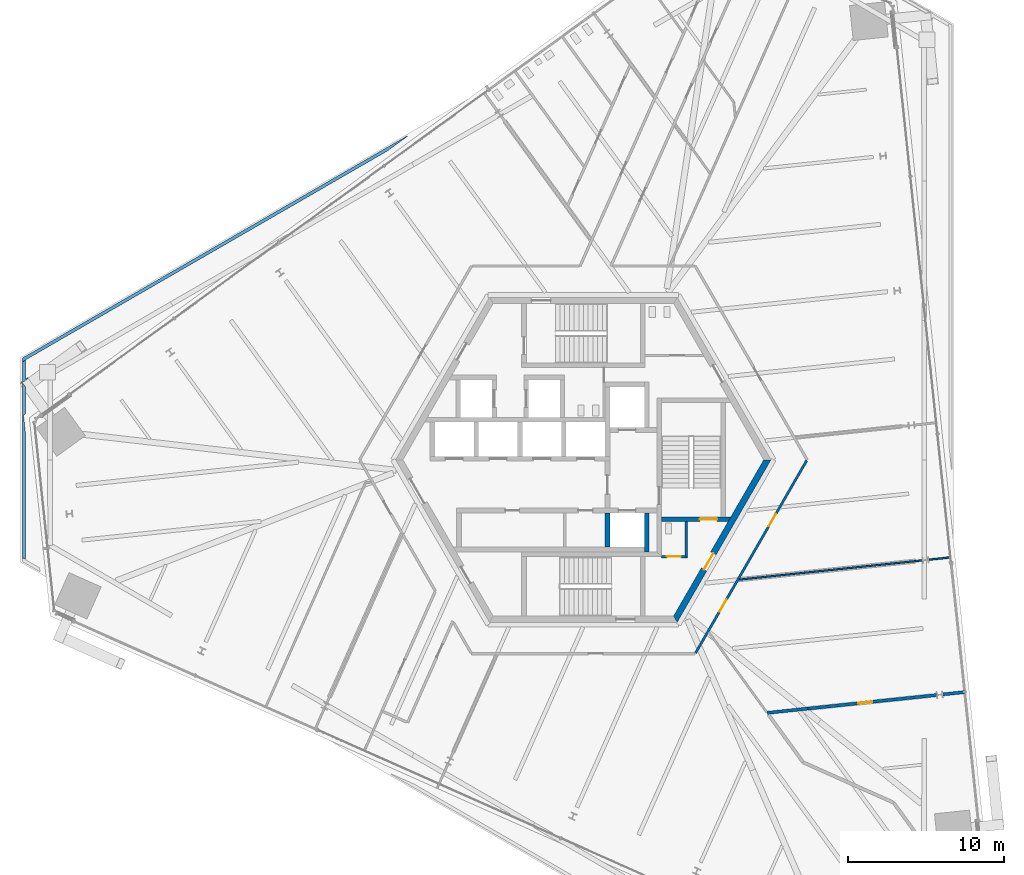
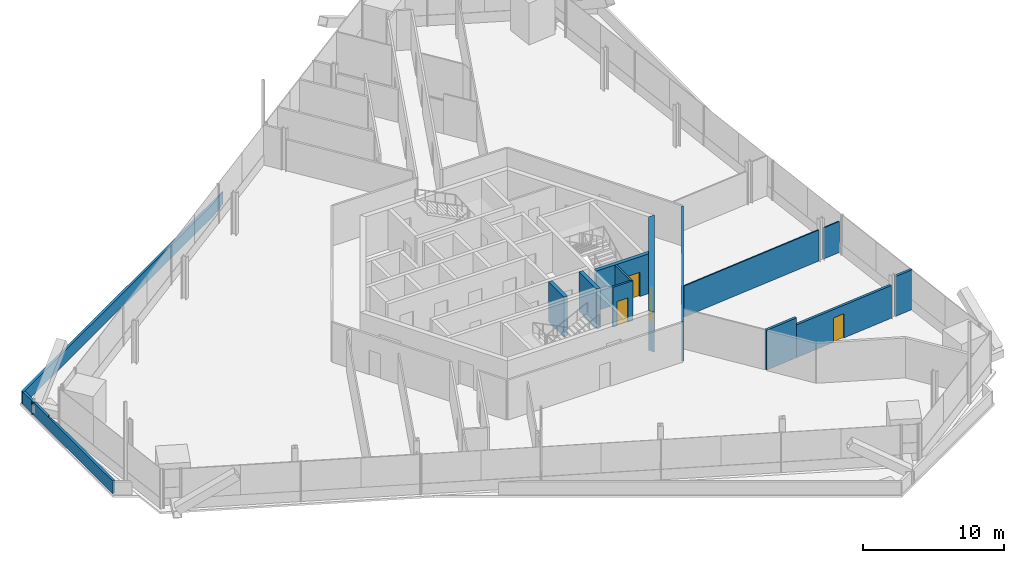
# One storey, part 16 of 24: 15 walls, 6 doors, 6 openings.
"""IFC4 building model written with IfcOpenShell, lengths in metres."""

from ifc_helpers import new_model, si_unit, direction, frame, frame_2d, origin, place, context, subcontext, project, spatial, polyline, rectangle, outline, extrude, source, transform, mapped, material, layer, layer_set, type_object, element, fill, save


model = new_model("IFC4")

# Units and contexts
model_context = context("Model", 3, precision=1e-05, world=origin(), true_north=direction((0.0, 1.0)))
body_context = subcontext(model_context, "Body", "Model", "MODEL_VIEW")
ifc_project = project(units=[si_unit("LENGTHUNIT", "METRE"), si_unit("AREAUNIT", "SQUARE_METRE"), si_unit("VOLUMEUNIT", "CUBIC_METRE"), si_unit("PLANEANGLEUNIT", "RADIAN"), si_unit("MASSUNIT", "GRAM", prefix="KILO")], contexts=[model_context])

# Site, building, storey
site_placement = place(None, origin())
site = spatial("IfcSite", under=ifc_project, at=site_placement, CompositionType="ELEMENT")
building_placement = place(site_placement, origin())
building = spatial("IfcBuilding", under=site, at=building_placement, Name="Triune Harvest Tower", CompositionType="ELEMENT")
storey_placement = place(building_placement, frame((0.0, 0.0, 58.5)))
storey = spatial("IfcBuildingStorey", under=building, at=storey_placement, Name="L13", CompositionType="ELEMENT", Elevation=58.5)

# Walls
ifc_material_1 = material(Name="Concrete 40 MPa", Category="concrete")
ifc_layer_1 = layer(ifc_material_1, 0.199951171875)
ifc_layer_set_1 = layer_set([ifc_layer_1], Name="Concrete 40 MPa")
wall_type_1 = type_object("IfcWallType", Name="PA-1 parapet 200", PredefinedType="PARAPET", material=ifc_layer_set_1)
wall_1_placement = place(storey_placement, origin())
element("IfcWall", 1, at=wall_1_placement, inside=storey, type_object=wall_type_1, Name="Parapet wedge L12 2.2", PredefinedType="PARAPET", context=body_context, shape_type="SweptSolid", body=[
    extrude(outline(polyline([(-11.24755859375, 20.72412109375), (-11.2314453125, 20.69921875), (-12.55078125, 19.74072265625), (-35.680419921875, 6.386962890625), (-35.680419921875, 6.36376953125), (-35.820556640625, 6.282958984375), (-35.880615234375, 6.386962890625), (-35.880615234375, 6.502197265625), (-11.24755859375, 20.72412109375)])), origin(), (0.0, 0.0, 1.0), 1.10009765625),
])
wall_2_placement = place(storey_placement, origin())
element("IfcWall", 2, at=wall_2_placement, inside=storey, type_object=wall_type_1, Name="Parapet wedge L12 2.3", PredefinedType="PARAPET", context=body_context, shape_type="SweptSolid", body=[
    extrude(outline(polyline([(-35.501220703125, 5.204833984375), (-35.98046875, 4.856689453125), (-35.98046875, 4.9560546875), (-35.880615234375, 5.02880859375), (-35.880615234375, 6.386962890625), (-35.820556640625, 6.282958984375), (-35.680419921875, 6.36376953125), (-35.680419921875, 5.174072265625), (-35.54833984375, 5.27001953125), (-35.501220703125, 5.204833984375)])), origin(), (0.0, 0.0, 1.0), 1.10009765625),
])
wall_3_placement = place(storey_placement, origin())
element("IfcWall", 3, at=wall_3_placement, inside=storey, type_object=wall_type_1, Name="Parapet wedge L12 2.4", PredefinedType="PARAPET", context=body_context, shape_type="SweptSolid", body=[
    extrude(outline(polyline([(-35.680419921875, 2.93603515625), (-35.800537109375, 2.848876953125), (-35.680419921875, 1.706787109375), (-35.680419921875, -6.36376953125), (-35.820556640625, -6.282958984375), (-35.880615234375, -6.386962890625), (-35.880615234375, 4.9453125), (-35.680419921875, 4.669921875), (-35.680419921875, 2.93603515625)])), origin(), (0.0, 0.0, 1.0), 1.10009765625),
])
ifc_material_2 = material(Name="Gypsum board on steel studs", Category="steel")
ifc_layer_2 = layer(ifc_material_2, 0.10009765625)
ifc_layer_set_2 = layer_set([ifc_layer_2], Name="Gypsum board on steel studs")
wall_type_2 = type_object("IfcWallType", Name="Partition 100 mm", PredefinedType="PARTITIONING", material=ifc_layer_set_2)
wall_4_placement = place(storey_placement, frame((22.068115234375, -6.390380859375, 0.0), z_axis=(0.0, 0.0, 1.0), x_axis=(0.994529002172, 0.104460824419, 0.0)))
element("IfcWall", 4, at=wall_4_placement, inside=storey, type_object=wall_type_2, Name="Partition L13 026", PredefinedType="PARTITIONING", context=body_context, shape_type="SweptSolid", body=[
    extrude(rectangle(XDim=1.418701171875, YDim=0.10009765625, at=frame_2d((0.70947265625, 0.0))), origin(), (0.0, 0.0, 1.0), 2.68310546875),
])

# Wall, opening, door
ifc_material_3 = material(Name="Concrete 70 MPa", Category="concrete")
ifc_layer_3 = layer(ifc_material_3, 0.39990234375)
ifc_layer_set_3 = layer_set([ifc_layer_3], Name="Concrete 70 MPa")
wall_type_3 = type_object("IfcWallType", Name="Core wall 400", PredefinedType="SHEAR", material=ifc_layer_set_3)
shared_shape_1 = source(origin(), body_context, "Body", "SweptSolid", [
    extrude(outline(polyline([(-0.115478515625, -0.199951171875), (11.884521484375, -0.199951171875), (11.653564453125, 0.199951171875), (0.115478515625, 0.199951171875), (-0.115478515625, -0.199951171875)])), origin(), (0.0, 0.0, 1.0), 3.43994140625),
])
wall_5_placement = place(storey_placement, frame((5.884521484375, -10.1923828125, 0.0), z_axis=(0.0, 0.0, 1.0), x_axis=(0.499996592174, 0.866027371285, 0.0)))
wall_5 = element("IfcWall", 5, at=wall_5_placement, inside=storey, type_object=wall_type_3, Name="Hexagon 5 wall", PredefinedType="SHEAR", context=body_context, shape_type="MappedRepresentation", body=[
    mapped(shared_shape_1, transform((0.0, 0.0, 0.0), scale=1.0)),
])
opening_1_placement = place(wall_5_placement, frame((3.66455078125, 0.0, 0.0)))
opening_1 = element("IfcOpeningElement", 6, at=opening_1_placement, cuts=wall_5, Name="Opening CD-DP", PredefinedType="OPENING", context=body_context, shape_type="SweptSolid", body=[
    extrude(rectangle(XDim=1.199951171875, YDim=2.10009765625, at=frame_2d((0.60009765625, 1.050048828125))), frame((0.0, 0.2099609375, 0.0), z_axis=(0.0, -1.0, 0.0), x_axis=(1.0, 0.0, 0.0)), (0.0, 0.0, 1.0), 0.419921875),
])
ifc_material_4 = material(Name="Steel S235", Category="steel")
door_type_1 = type_object("IfcDoorType", Name="Stair door 1200 FD120", OperationType="SINGLE_SWING_LEFT", PredefinedType="DOOR", material=ifc_material_4)
door_1_placement = place(opening_1_placement, frame((1.199951171875, 0.0, 0.0), z_axis=(0.0, 0.0, 1.0), x_axis=(-1.0, 0.0, 0.0)))
door_1 = element("IfcDoor", 7, at=door_1_placement, inside=storey, type_object=door_type_1, Name="Door CD-DP", OperationType="SINGLE_SWING_RIGHT", OverallHeight=2.10009765625, OverallWidth=1.199951171875, PredefinedType="DOOR", context=body_context, shape_type="SweptSolid", body=[
    extrude(rectangle(XDim=1.199951171875, YDim=2.10009765625, at=frame_2d((0.60009765625, 1.050048828125))), frame((0.0, 0.02490234375, 0.0), z_axis=(0.0, -1.0, 0.0), x_axis=(1.0, 0.0, 0.0)), (0.0, 0.0, 1.0), 0.050048828125),
])
fill(opening_1, door_1)

# Walls
ifc_material_5 = material(Name="Concrete 70 MPa", Category="concrete")
ifc_layer_4 = layer(ifc_material_5, 0.300048828125)
ifc_layer_set_4 = layer_set([ifc_layer_4], Name="Concrete 70 MPa")
wall_type_4 = type_object("IfcWallType", Name="Core wall 300", PredefinedType="SHEAR", material=ifc_layer_set_4)
shared_shape_2 = source(origin(), body_context, "Body", "SweptSolid", [
    extrude(rectangle(XDim=2.5, YDim=0.300048828125, at=frame_2d((1.25, 0.0))), origin(), (0.0, 0.0, 1.0), 3.43994140625),
])
wall_6_placement = place(storey_placement, frame((4.050048828125, -5.889892578125, 0.0), z_axis=(0.0, 0.0, 1.0), x_axis=(0.0, 1.0, 0.0)))
element("IfcWall", 8, at=wall_6_placement, inside=storey, type_object=wall_type_4, Name="Ff2 east wall", PredefinedType="SHEAR", context=body_context, shape_type="MappedRepresentation", body=[
    mapped(shared_shape_2, transform((0.0, 0.0, 0.0), scale=1.0)),
])
shared_shape_3 = source(origin(), body_context, "Body", "SweptSolid", [
    extrude(rectangle(XDim=2.2001953125, YDim=0.300048828125, at=frame_2d((1.10009765625, 0.0))), origin(), (0.0, 0.0, 1.0), 3.43994140625),
])
wall_7_placement = place(storey_placement, frame((1.550048828125, -5.590087890625, 0.0), z_axis=(0.0, 0.0, 1.0), x_axis=(0.0, 1.0, 0.0)))
element("IfcWall", 9, at=wall_7_placement, inside=storey, type_object=wall_type_4, Name="Ff2 west wall", PredefinedType="SHEAR", context=body_context, shape_type="MappedRepresentation", body=[
    mapped(shared_shape_3, transform((0.0, 0.0, 0.0), scale=1.0)),
])

# Wall, opening, door
shared_shape_4 = source(origin(), body_context, "Body", "SweptSolid", [
    extrude(outline(polyline([(0.0, -0.14990234375), (0.0, 0.14990234375), (4.43310546875, 0.14990234375), (4.260009765625, -0.14990234375), (0.0, -0.14990234375)])), origin(), (0.0, 0.0, 1.0), 3.43994140625),
])
wall_8_placement = place(storey_placement, frame((5.0, -3.800048828125, 0.0), z_axis=(0.0, 0.0, 1.0), x_axis=(1.0, 0.0, 0.0)))
wall_8 = element("IfcWall", 10, at=wall_8_placement, inside=storey, type_object=wall_type_4, Name="Stair e south wall", PredefinedType="SHEAR", context=body_context, shape_type="MappedRepresentation", body=[
    mapped(shared_shape_4, transform((0.0, 0.0, 0.0), scale=1.0)),
])
opening_2_placement = place(wall_8_placement, frame((2.449951171875, 0.0, 0.0)))
opening_2 = element("IfcOpeningElement", 11, at=opening_2_placement, cuts=wall_8, Name="Opening CD-S3D", PredefinedType="OPENING", context=body_context, shape_type="SweptSolid", body=[
    extrude(rectangle(XDim=1.10009765625, YDim=2.10009765625, at=frame_2d((0.550048828125, 1.050048828125))), frame((0.0, 0.16015625, 0.0), z_axis=(0.0, -1.0, 0.0), x_axis=(1.0, 0.0, 0.0)), (0.0, 0.0, 1.0), 0.320068359375),
])
ifc_material_6 = material(Name="Steel S235", Category="steel")
door_type_2 = type_object("IfcDoorType", Name="Stair door 1100 FD120", OperationType="SINGLE_SWING_LEFT", PredefinedType="DOOR", material=ifc_material_6)
door_2_placement = place(opening_2_placement, frame((1.10009765625, 0.0, 0.0), z_axis=(0.0, 0.0, 1.0), x_axis=(-1.0, 0.0, 0.0)))
door_2 = element("IfcDoor", 12, at=door_2_placement, inside=storey, type_object=door_type_2, Name="Door CD-S3D", OperationType="SINGLE_SWING_RIGHT", OverallHeight=2.10009765625, OverallWidth=1.10009765625, PredefinedType="DOOR", context=body_context, shape_type="SweptSolid", body=[
    extrude(rectangle(XDim=1.10009765625, YDim=2.10009765625, at=frame_2d((0.550048828125, 1.050048828125))), frame((0.0, 0.02490234375, 0.0), z_axis=(0.0, -1.0, 0.0), x_axis=(1.0, 0.0, 0.0)), (0.0, 0.0, 1.0), 0.050048828125),
])
fill(opening_2, door_2)

ifc_material_7 = material(Name="Concrete masonry unit", Category="masonry")
ifc_layer_5 = layer(ifc_material_7, 0.14990234375)
ifc_layer_set_5 = layer_set([ifc_layer_5], Name="Concrete masonry unit")
wall_type_5 = type_object("IfcWallType", Name="Block partition 150 unrated", PredefinedType="PARTITIONING", material=ifc_layer_set_5)
shared_shape_5 = source(origin(), body_context, "Body", "SweptSolid", [
    extrude(outline(polyline([(0.0, -0.074951171875), (1.64990234375, -0.074951171875), (1.5, 0.074951171875), (0.0, 0.074951171875), (0.0, -0.074951171875)])), origin(), (0.0, 0.0, 1.0), 3.43994140625),
])
wall_9_placement = place(storey_placement, frame((5.0, -6.18994140625, 0.0), z_axis=(0.0, 0.0, 1.0), x_axis=(1.0, 0.0, 0.0)))
wall_9 = element("IfcWall", 13, at=wall_9_placement, inside=storey, type_object=wall_type_5, Name="Wc acc south wall", PredefinedType="PARTITIONING", context=body_context, shape_type="MappedRepresentation", body=[
    mapped(shared_shape_5, transform((0.0, 0.0, 0.0), scale=1.0)),
])
opening_3_placement = place(wall_9_placement, frame((0.33740234375, 0.0, 0.0)))
opening_3 = element("IfcOpeningElement", 14, at=opening_3_placement, cuts=wall_9, Name="Opening CD-WA", PredefinedType="OPENING", context=body_context, shape_type="SweptSolid", body=[
    extrude(rectangle(XDim=0.89990234375, YDim=2.10009765625, at=frame_2d((0.449951171875, 1.050048828125))), frame((0.0, 0.0849609375, 0.0), z_axis=(0.0, -1.0, 0.0), x_axis=(1.0, 0.0, 0.0)), (0.0, 0.0, 1.0), 0.169921875),
])
ifc_material_8 = material(Name="Timber C24", Category="wood")
door_type_3 = type_object("IfcDoorType", Name="WC door 900", OperationType="SINGLE_SWING_LEFT", PredefinedType="DOOR", material=ifc_material_8)
door_3_placement = place(opening_3_placement, origin())
door_3 = element("IfcDoor", 15, at=door_3_placement, inside=storey, type_object=door_type_3, Name="Door CD-WA", OperationType="SINGLE_SWING_LEFT", OverallHeight=2.10009765625, OverallWidth=0.89990234375, PredefinedType="DOOR", context=body_context, shape_type="SweptSolid", body=[
    extrude(rectangle(XDim=0.89990234375, YDim=2.10009765625, at=frame_2d((0.449951171875, 1.050048828125))), frame((0.0, 0.02490234375, 0.0), z_axis=(0.0, -1.0, 0.0), x_axis=(1.0, 0.0, 0.0)), (0.0, 0.0, 1.0), 0.050048828125),
])
fill(opening_3, door_3)

# Walls
shared_shape_6 = source(origin(), body_context, "Body", "SweptSolid", [
    extrude(outline(polyline([(-0.074951171875, -0.074951171875), (2.239990234375, -0.074951171875), (2.239990234375, 0.074951171875), (0.074951171875, 0.074951171875), (-0.074951171875, -0.074951171875)])), origin(), (0.0, 0.0, 1.0), 3.43994140625),
])
wall_10_placement = place(storey_placement, frame((6.574951171875, -6.18994140625, 0.0), z_axis=(0.0, 0.0, 1.0), x_axis=(0.0, 1.0, 0.0)))
element("IfcWall", 16, at=wall_10_placement, inside=storey, type_object=wall_type_5, Name="Wc acc east wall", PredefinedType="PARTITIONING", context=body_context, shape_type="MappedRepresentation", body=[
    mapped(shared_shape_6, transform((0.0, 0.0, 0.0), scale=1.0)),
])
ifc_material_9 = material(Name="Gypsum board on steel studs", Category="steel")
ifc_layer_6 = layer(ifc_material_9, 0.199951171875)
ifc_layer_set_6 = layer_set([ifc_layer_6], Name="Gypsum board on steel studs")
wall_type_6 = type_object("IfcWallType", Name="Fire Wall 200 mm", PredefinedType="PARTITIONING", material=ifc_layer_set_6)
shared_shape_7 = source(origin(), body_context, "Body", "SweptSolid", [
    extrude(rectangle(XDim=2.61181640625, YDim=0.199951171875, at=frame_2d((1.305908203125, 0.0))), origin(), (0.0, 0.0, 1.0), 3.43994140625),
])
wall_11_placement = place(storey_placement, frame((11.75830078125, -16.18408203125, 0.0), z_axis=(0.0, 0.0, 1.0), x_axis=(0.994514157036, 0.104602062386, 0.0)))
element("IfcWall", 17, at=wall_11_placement, inside=storey, type_object=wall_type_6, Name="Partition L13 023", PredefinedType="PARTITIONING", context=body_context, shape_type="MappedRepresentation", body=[
    mapped(shared_shape_7, transform((0.0, 0.0, 0.0), scale=1.0)),
])

# Wall, opening, door
shared_shape_8 = source(origin(), body_context, "Body", "SweptSolid", [
    extrude(rectangle(XDim=8.291748046875, YDim=0.199951171875, at=frame_2d((4.14599609375, 0.0))), origin(), (0.0, 0.0, 1.0), 2.827880859375),
])
wall_12_placement = place(storey_placement, frame((14.355712890625, -15.910888671875, 0.0), z_axis=(0.0, 0.0, 1.0), x_axis=(0.994522219063, 0.104525383476, 0.0)))
wall_12 = element("IfcWall", 18, at=wall_12_placement, inside=storey, type_object=wall_type_6, Name="Partition L13 023a", PredefinedType="PARTITIONING", context=body_context, shape_type="MappedRepresentation", body=[
    mapped(shared_shape_8, transform((0.0, 0.0, 0.0), scale=1.0)),
])
opening_4_placement = place(wall_12_placement, frame((3.23828125, 0.0, 0.0)))
opening_4 = element("IfcOpeningElement", 19, at=opening_4_placement, cuts=wall_12, Name="Opening L13-001", PredefinedType="OPENING", context=body_context, shape_type="SweptSolid", body=[
    extrude(rectangle(XDim=0.89990234375, YDim=2.10009765625, at=frame_2d((0.449951171875, 1.050048828125))), frame((0.0, 0.10986328125, 0.0), z_axis=(0.0, -1.0, 0.0), x_axis=(1.0, 0.0, 0.0)), (0.0, 0.0, 1.0), 0.219970703125),
])
ifc_material_10 = material(Name="Timber and steel door set", Category="steel")
door_type_4 = type_object("IfcDoorType", Name="Single leaf door FD60 left hand 900 x 2100", OperationType="SINGLE_SWING_LEFT", PredefinedType="DOOR", material=ifc_material_10)
door_4_placement = place(opening_4_placement, origin())
door_4 = element("IfcDoor", 20, at=door_4_placement, inside=storey, type_object=door_type_4, Name="Door L13-001 Commercial Trial Kitchen 13.01", OperationType="SINGLE_SWING_LEFT", OverallHeight=2.10009765625, OverallWidth=0.89990234375, PredefinedType="DOOR", context=body_context, shape_type="SweptSolid", body=[
    extrude(rectangle(XDim=0.89990234375, YDim=2.10009765625, at=frame_2d((0.449951171875, 1.050048828125))), frame((0.0, 0.02490234375, 0.0), z_axis=(0.0, -1.0, 0.0), x_axis=(1.0, 0.0, 0.0)), (0.0, 0.0, 1.0), 0.050048828125),
])
fill(opening_4, door_4)

# Walls
shared_shape_9 = source(origin(), body_context, "Body", "SweptSolid", [
    extrude(rectangle(XDim=1.41845703125, YDim=0.199951171875, at=frame_2d((0.709228515625, 0.0))), origin(), (0.0, 0.0, 1.0), 3.43994140625),
])
wall_13_placement = place(storey_placement, frame((22.9736328125, -15.00537109375, 0.0), z_axis=(0.0, 0.0, 1.0), x_axis=(0.994509224768, 0.10464894577, 0.0)))
element("IfcWall", 21, at=wall_13_placement, inside=storey, type_object=wall_type_6, Name="Partition L13 024", PredefinedType="PARTITIONING", context=body_context, shape_type="MappedRepresentation", body=[
    mapped(shared_shape_9, transform((0.0, 0.0, 0.0), scale=1.0)),
])
shared_shape_10 = source(origin(), body_context, "Body", "SweptSolid", [
    extrude(rectangle(XDim=11.78125, YDim=0.10009765625, at=frame_2d((5.890625, 0.0))), origin(), (0.0, 0.0, 1.0), 2.68310546875),
])
wall_14_placement = place(storey_placement, frame((9.979736328125, -7.660888671875, 0.0), z_axis=(0.0, 0.0, 1.0), x_axis=(0.994522245338, 0.10452513347, 0.0)))
element("IfcWall", 22, at=wall_14_placement, inside=storey, type_object=wall_type_2, Name="Partition L13 025", PredefinedType="PARTITIONING", context=body_context, shape_type="MappedRepresentation", body=[
    mapped(shared_shape_10, transform((0.0, 0.0, 0.0), scale=1.0)),
])

# Wall, openings, doors
ifc_material_11 = material(Name="Gypsum board on steel studs", Category="steel")
ifc_layer_7 = layer(ifc_material_11, 0.14990234375)
ifc_layer_set_7 = layer_set([ifc_layer_7], Name="Gypsum board on steel studs")
wall_type_7 = type_object("IfcWallType", Name="Fire Partition 150 mm", PredefinedType="PARTITIONING", material=ifc_layer_set_7)
shared_shape_11 = source(origin(), body_context, "Body", "SweptSolid", [
    extrude(rectangle(XDim=14.208740234375, YDim=0.14990234375, at=frame_2d((7.1044921875, 0.0))), origin(), (0.0, 0.0, 1.0), 3.43994140625),
])
wall_15_placement = place(storey_placement, frame((7.179931640625, -12.3486328125, 0.0), z_axis=(0.0, 0.0, 1.0), x_axis=(0.500005048139, 0.86602248922, 0.0)))
wall_15 = element("IfcWall", 23, at=wall_15_placement, inside=storey, type_object=wall_type_7, Name="Partition L13 031", PredefinedType="PARTITIONING", context=body_context, shape_type="MappedRepresentation", body=[
    mapped(shared_shape_11, transform((0.0, 0.0, 0.0), scale=1.0)),
])
opening_5_placement = place(wall_15_placement, frame((3.036865234375, 0.0, 0.0)))
opening_5 = element("IfcOpeningElement", 24, at=opening_5_placement, cuts=wall_15, Name="Opening L13-002", PredefinedType="OPENING", context=body_context, shape_type="SweptSolid", body=[
    extrude(rectangle(XDim=0.89990234375, YDim=2.10009765625, at=frame_2d((0.449951171875, 1.050048828125))), frame((0.0, 0.0849609375, 0.0), z_axis=(0.0, -1.0, 0.0), x_axis=(1.0, 0.0, 0.0)), (0.0, 0.0, 1.0), 0.169921875),
])
opening_6_placement = place(wall_15_placement, frame((9.350830078125, 0.0, 0.0)))
opening_6 = element("IfcOpeningElement", 25, at=opening_6_placement, cuts=wall_15, Name="Opening L13-003", PredefinedType="OPENING", context=body_context, shape_type="SweptSolid", body=[
    extrude(rectangle(XDim=0.89990234375, YDim=2.10009765625, at=frame_2d((0.449951171875, 1.050048828125))), frame((0.0, 0.0849609375, 0.0), z_axis=(0.0, -1.0, 0.0), x_axis=(1.0, 0.0, 0.0)), (0.0, 0.0, 1.0), 0.169921875),
])
ifc_material_12 = material(Name="Timber and steel door set", Category="steel")
door_type_5 = type_object("IfcDoorType", Name="Single leaf door FD30 left hand 900 x 2100", OperationType="SINGLE_SWING_LEFT", PredefinedType="DOOR", material=ifc_material_12)
door_5_placement = place(opening_6_placement, origin())
door_5 = element("IfcDoor", 26, at=door_5_placement, inside=storey, type_object=door_type_5, Name="Door L13-003 Project Room 13.03", OperationType="SINGLE_SWING_LEFT", OverallHeight=2.10009765625, OverallWidth=0.89990234375, PredefinedType="DOOR", context=body_context, shape_type="SweptSolid", body=[
    extrude(rectangle(XDim=0.89990234375, YDim=2.10009765625, at=frame_2d((0.449951171875, 1.050048828125))), frame((0.0, 0.02490234375, 0.0), z_axis=(0.0, -1.0, 0.0), x_axis=(1.0, 0.0, 0.0)), (0.0, 0.0, 1.0), 0.050048828125),
])
fill(opening_6, door_5)
ifc_material_13 = material(Name="Timber and steel door set", Category="steel")
door_type_6 = type_object("IfcDoorType", Name="Single leaf door FD30 right hand 900 x 2100", OperationType="SINGLE_SWING_RIGHT", PredefinedType="DOOR", material=ifc_material_13)
door_6_placement = place(opening_5_placement, origin())
door_6 = element("IfcDoor", 27, at=door_6_placement, inside=storey, type_object=door_type_6, Name="Door L13-002 Open Office 13.02", OperationType="SINGLE_SWING_RIGHT", OverallHeight=2.10009765625, OverallWidth=0.89990234375, PredefinedType="DOOR", context=body_context, shape_type="SweptSolid", body=[
    extrude(rectangle(XDim=0.89990234375, YDim=2.10009765625, at=frame_2d((0.449951171875, 1.050048828125))), frame((0.0, 0.02490234375, 0.0), z_axis=(0.0, -1.0, 0.0), x_axis=(1.0, 0.0, 0.0)), (0.0, 0.0, 1.0), 0.050048828125),
])
fill(opening_5, door_6)

save(model, "model.ifc")
